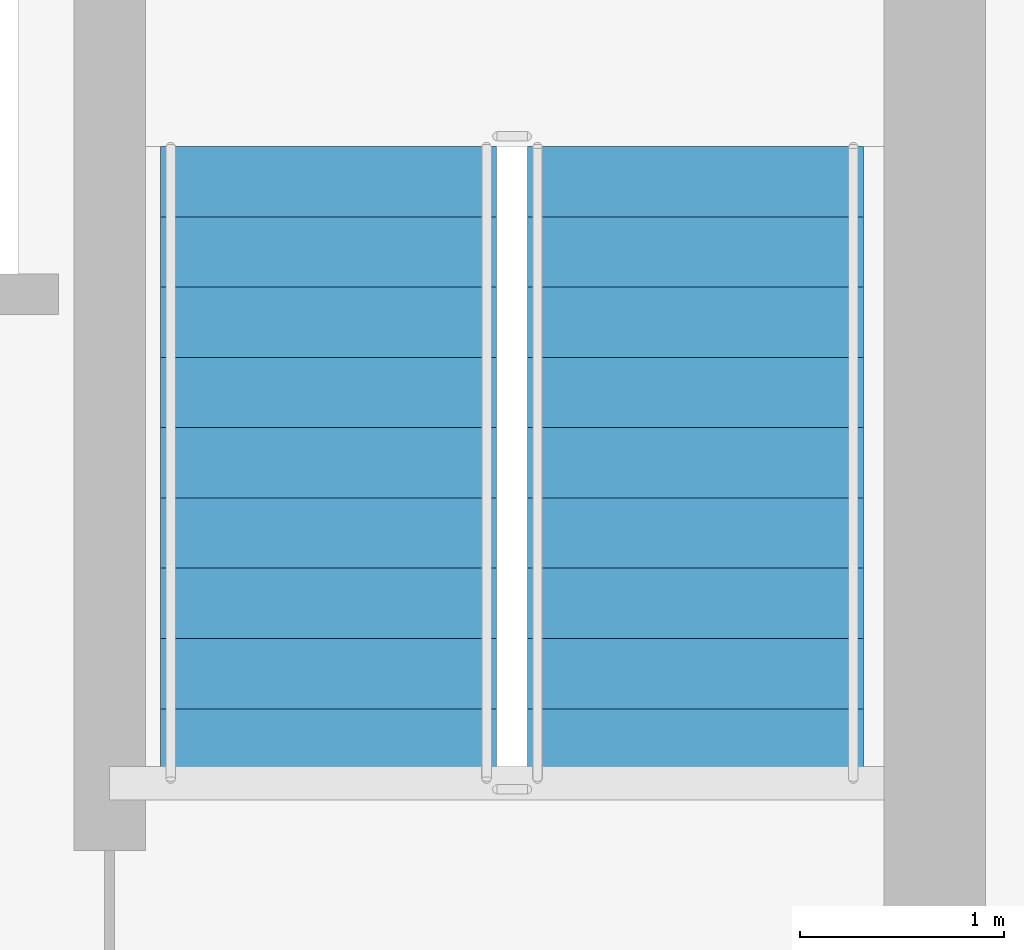
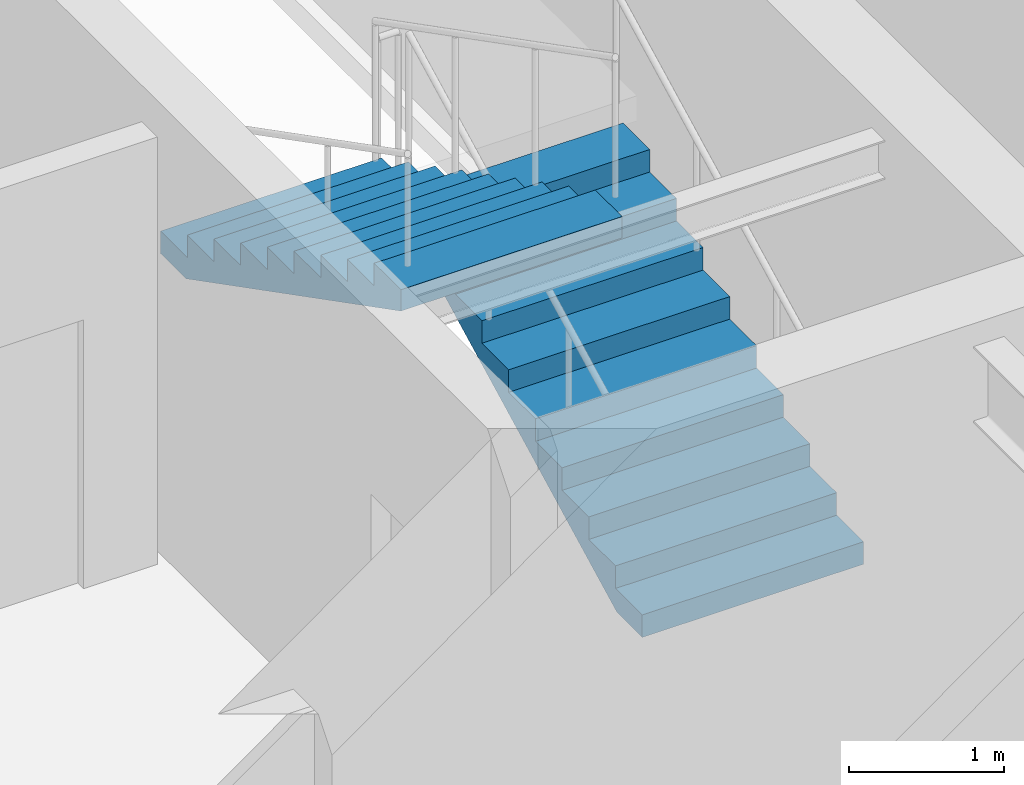
# One storey, part 8 of 9: 2 stair flights, 1 element without a shape of its own.
"""IFC4 building model written with IfcOpenShell, lengths in metres."""

from ifc_helpers import new_model, si_unit, direction, frame, origin, place, context, subcontext, project, spatial, polyline, outline, extrude, material, type_object, element, aggregate, save


model = new_model("IFC4")

# Units and contexts
model_context = context("Model", 3, precision=1e-05, world=origin(), true_north=direction((0.0, 1.0)))
body_context = subcontext(model_context, "Body", "Model", "MODEL_VIEW")
ifc_project = project(units=[si_unit("LENGTHUNIT", "METRE"), si_unit("AREAUNIT", "SQUARE_METRE"), si_unit("VOLUMEUNIT", "CUBIC_METRE"), si_unit("PLANEANGLEUNIT", "RADIAN"), si_unit("MASSUNIT", "GRAM", prefix="KILO")], contexts=[model_context])

# Site, building, storey
site_placement = place(None, origin())
site = spatial("IfcSite", under=ifc_project, at=site_placement, CompositionType="ELEMENT")
building_placement = place(site_placement, origin())
building = spatial("IfcBuilding", under=site, at=building_placement, Name="Tolvann Quenvar Hotel", CompositionType="ELEMENT")
storey_placement = place(building_placement, frame((0.0, 0.0, 216.800048828125)))
storey = spatial("IfcBuildingStorey", under=building, at=storey_placement, Name="L57", CompositionType="ELEMENT", Elevation=216.800048828125)

# Stair, stair flights
ifc_material = material(Name="Concrete N40 (40 MPa)", Category="concrete")
stair_type = type_object("IfcStairType", Name="STAIR", PredefinedType="HALF_TURN_STAIR", material=ifc_material)
stair_placement = place(storey_placement, origin())
stair = element("IfcStair", 1, at=stair_placement, inside=storey, type_object=stair_type, Name="L57 ST-C2", PredefinedType="HALF_TURN_STAIR")
stair_flight_type = type_object("IfcStairFlightType", Name="STAIR_FLIGHT", PredefinedType="STRAIGHT", material=ifc_material)
stair_flight_1_placement = place(storey_placement, frame((34.574951171875, 34.0, 0.0), z_axis=(0.0, 0.0, 1.0), x_axis=(0.0, 1.0, 0.0)))
stair_flight_1 = element("IfcStairFlight", 2, at=stair_flight_1_placement, type_object=stair_flight_type, Name="ST-C2 flight 1", NumberOfRisers=10, NumberOfTreads=9, PredefinedType="STRAIGHT", RiserHeight=0.1775, TreadLength=0.345, context=body_context, shape_type="SweptSolid", body=[
    extrude(outline(polyline([(0.0, 0.0), (0.0, 0.177490234375), (0.344970703125, 0.177490234375), (0.344970703125, 0.35498046875), (0.68994140625, 0.35498046875), (0.68994140625, 0.532470703125), (1.034912109375, 0.532470703125), (1.034912109375, 0.7099609375), (1.3798828125, 0.7099609375), (1.3798828125, 0.887451171875), (1.72509765625, 0.887451171875), (1.72509765625, 1.06494140625), (2.070068359375, 1.06494140625), (2.070068359375, 1.242431640625), (2.4150390625, 1.242431640625), (2.4150390625, 1.419921875), (2.760009765625, 1.419921875), (2.760009765625, 1.597412109375), (3.10498046875, 1.597412109375), (3.10498046875, 1.77490234375), (3.10498046875, 1.428955078125), (0.32763671875, 0.0), (0.0, 0.0)])), frame((0.0, 0.824951171875, 0.0), z_axis=(0.0, -1.0, 0.0), x_axis=(1.0, 0.0, 0.0)), (0.0, 0.0, 1.0), 1.64990234375),
])
stair_flight_2_placement = place(storey_placement, frame((32.77490234375, 37.10498046875, 1.77490234375), z_axis=(0.0, 0.0, 1.0), x_axis=(0.0, -1.0, 0.0)))
stair_flight_2 = element("IfcStairFlight", 3, at=stair_flight_2_placement, type_object=stair_flight_type, Name="ST-C2 flight 2", NumberOfRisers=10, NumberOfTreads=9, PredefinedType="STRAIGHT", RiserHeight=0.1775, TreadLength=0.345, context=body_context, shape_type="SweptSolid", body=[
    extrude(outline(polyline([(0.0, 0.0), (0.0, 0.177490234375), (0.344970703125, 0.177490234375), (0.344970703125, 0.35498046875), (0.68994140625, 0.35498046875), (0.68994140625, 0.532470703125), (1.034912109375, 0.532470703125), (1.034912109375, 0.7099609375), (1.3798828125, 0.7099609375), (1.3798828125, 0.887451171875), (1.72509765625, 0.887451171875), (1.72509765625, 1.06494140625), (2.070068359375, 1.06494140625), (2.070068359375, 1.242431640625), (2.4150390625, 1.242431640625), (2.4150390625, 1.419921875), (2.760009765625, 1.419921875), (2.760009765625, 1.597412109375), (3.10498046875, 1.597412109375), (3.10498046875, 1.77490234375), (3.10498046875, 1.428955078125), (0.32763671875, 0.0), (0.0, 0.0)])), frame((0.0, 0.824951171875, 0.0), z_axis=(0.0, -1.0, 0.0), x_axis=(1.0, 0.0, 0.0)), (0.0, 0.0, 1.0), 1.64990234375),
])
aggregate(stair, [stair_flight_1, stair_flight_2])

save(model, "model.ifc")
